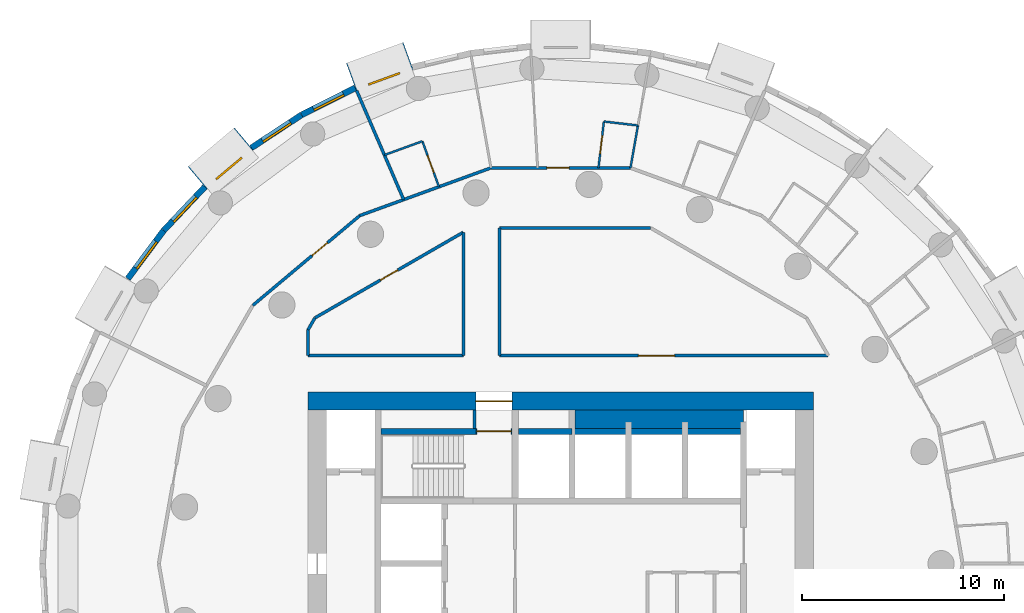
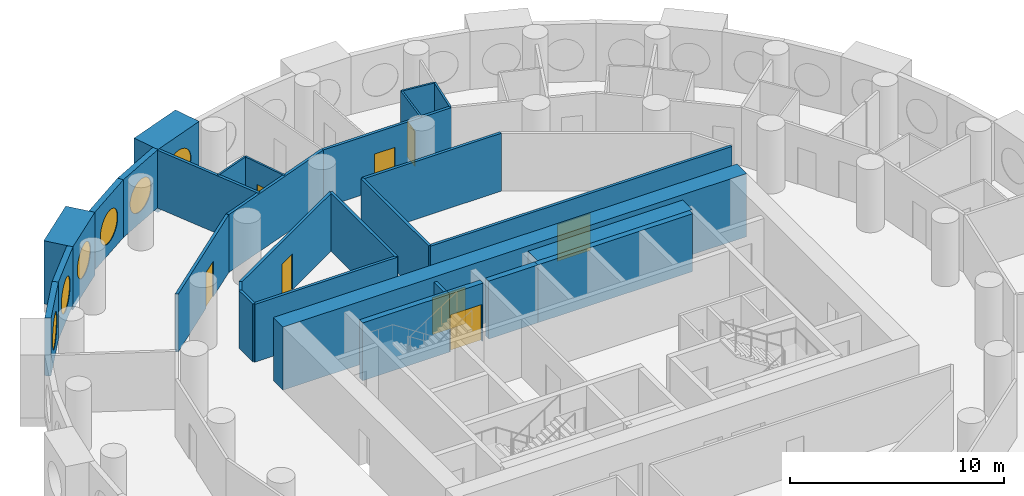
# One storey, part 6 of 10: 30 walls, 8 doors, 6 windows, 14 openings.
"""IFC4 building model written with IfcOpenShell, lengths in metres."""

import ifcopenshell
import ifcopenshell.guid

model = None  # the IFC model being written
_history = None  # IfcOwnerHistory: only IFC2X3 demands one
_inside = {}  # id of a spatial element -> (the spatial element, [elements in it])
_under = {}  # id of a project, library or spatial element -> (it, [spatial elements below it])
_declared = {}  # id of a project -> (the project, [libraries it declares])
_typed = {}  # id of a type object -> (the type object, [elements of that type])
_made_of = {}  # id of a material, layer set ... -> (it, [elements and type objects made of it])


def new_model(schema):
    """Start an empty IFC model of exactly this schema.

    Asked for "IFC4X3", IfcOpenShell would pick the latest addendum, in which some entities
    have other attributes; the version numbers below select the first issue.
    IFC2X3 requires an IfcOwnerHistory on every rooted entity: one is made here for all.
    """
    global model, _history
    if schema == "IFC4X3":
        model = ifcopenshell.file(schema_version=(4, 3, 0, 0))
    else:
        model = ifcopenshell.file(schema=schema)
    _inside.clear()
    _under.clear()
    _declared.clear()
    _typed.clear()
    _made_of.clear()
    _history = None
    if model.schema == "IFC2X3":
        org = make("IfcOrganization", Name="unknown")
        user = make(
            "IfcPersonAndOrganization",
            ThePerson=make("IfcPerson", FamilyName="unknown"),
            TheOrganization=org,
        )
        app = make(
            "IfcApplication",
            ApplicationDeveloper=org,
            Version="unknown",
            ApplicationFullName="unknown",
            ApplicationIdentifier="unknown",
        )
        _history = make(
            "IfcOwnerHistory",
            OwningUser=user,
            OwningApplication=app,
            ChangeAction="ADDED",
            CreationDate=0,
        )
    return model


def make(cls, **values):
    """One entity of the class cls with the attributes given. An attribute that is None is left unset."""
    return model.create_entity(
        cls, **{name: value for name, value in values.items() if value is not None}
    )


def rooted(cls, **values):
    """An entity with a GlobalId (a new one), such as an element, a storey or a relation."""
    return make(cls, GlobalId=ifcopenshell.guid.new(), OwnerHistory=_history, **values)


def si_unit(unit_type, name, prefix=None):
    """IfcSIUnit, for example si_unit("LENGTHUNIT", "METRE", prefix="MILLI")."""
    return make("IfcSIUnit", UnitType=unit_type, Prefix=prefix, Name=name)


def assignment(units):
    """IfcUnitAssignment: the units of a project."""
    return None if units is None else make("IfcUnitAssignment", Units=units)


def point(xyz):
    """IfcCartesianPoint."""
    return None if xyz is None else make("IfcCartesianPoint", Coordinates=xyz)


def direction(xyz):
    """IfcDirection."""
    return None if xyz is None else make("IfcDirection", DirectionRatios=xyz)


def frame(location, z_axis=None, x_axis=None):
    """IfcAxis2Placement3D, a coordinate frame: its origin and axes. An axis left out is left unset."""
    return make(
        "IfcAxis2Placement3D",
        Location=point(location),
        Axis=direction(z_axis),
        RefDirection=direction(x_axis),
    )


def frame_2d(location, x_axis=None):
    """IfcAxis2Placement2D, a coordinate frame in the plane: its origin and x axis."""
    return make(
        "IfcAxis2Placement2D", Location=point(location), RefDirection=direction(x_axis)
    )


def origin():
    """The frame at (0, 0, 0) with its axes left unset."""
    return frame((0.0, 0.0, 0.0))


def origin_2d():
    """The frame at (0, 0) in the plane with its x axis left unset."""
    return frame_2d((0.0, 0.0))


def place(relative_to, where):
    """IfcLocalPlacement: puts the frame where relative to a parent placement (None: the world)."""
    return make(
        "IfcLocalPlacement", PlacementRelTo=relative_to, RelativePlacement=where
    )


def context(
    kind, dimensions, precision=None, world=None, true_north=None, identifier=None
):
    """IfcGeometricRepresentationContext, for example the 3D "Model" context."""
    return make(
        "IfcGeometricRepresentationContext",
        ContextIdentifier=identifier,
        ContextType=kind,
        CoordinateSpaceDimension=dimensions,
        Precision=precision,
        WorldCoordinateSystem=world,
        TrueNorth=true_north,
    )


def subcontext(parent, identifier, kind, view, scale=None):
    """IfcGeometricRepresentationSubContext, for example "Body" below "Model"."""
    return make(
        "IfcGeometricRepresentationSubContext",
        ContextIdentifier=identifier,
        ContextType=kind,
        ParentContext=parent,
        TargetScale=scale,
        TargetView=view,
    )


def project(units=None, contexts=None):
    """IfcProject with its units and contexts."""
    return rooted(
        "IfcProject",
        Name="project",
        RepresentationContexts=contexts,
        UnitsInContext=assignment(units),
    )


def spatial(cls, under=None, at=None, **own):
    """A site, building, storey or space (cls), placed at a placement, below another one or the project."""
    s = rooted(cls, ObjectPlacement=at, **own)
    if under is not None:
        _under.setdefault(under.id(), (under, []))[1].append(s)
    return s


def profile(cls, at=None, kind="AREA", **sizes):
    """A parametric profile (cls). Its sizes go by their IFC names, for example OverallWidth=200.0."""
    return make(cls, ProfileType=kind, Position=at, **sizes)


def rectangle(**sizes):
    """IfcRectangleProfileDef."""
    return profile("IfcRectangleProfileDef", **sizes)


def circle(**sizes):
    """IfcCircleProfileDef."""
    return profile("IfcCircleProfileDef", **sizes)


def extrude(swept, where, along, depth):
    """IfcExtrudedAreaSolid: the profile swept, set in the frame where, extruded along a direction by depth."""
    return make(
        "IfcExtrudedAreaSolid",
        SweptArea=swept,
        Position=where,
        ExtrudedDirection=direction(along),
        Depth=depth,
    )


def shape(context_of_items, identifier, shape_type, items):
    """IfcShapeRepresentation: the items that make up one representation, for example the "Body"."""
    return make(
        "IfcShapeRepresentation",
        ContextOfItems=context_of_items,
        RepresentationIdentifier=identifier,
        RepresentationType=shape_type,
        Items=items,
    )


def material(Name=None, Category=None):
    """IfcMaterial."""
    return make("IfcMaterial", Name=Name, Category=Category)


def layer(
    of_material, thickness, ventilated=None, Name=None, Category=None, Priority=None
):
    """IfcMaterialLayer: one layer of a wall or slab, of a material (None: an air gap)."""
    return make(
        "IfcMaterialLayer",
        Material=of_material,
        LayerThickness=thickness,
        IsVentilated=ventilated,
        Name=Name,
        Category=Category,
        Priority=Priority,
    )


def layer_set(layers, Name=None):
    """IfcMaterialLayerSet."""
    return make("IfcMaterialLayerSet", MaterialLayers=layers, LayerSetName=Name)


def made_of(thing, what):
    """Note that an element or type object is made of a material, layer set ...; save() writes the relation."""
    if what is not None:
        _made_of.setdefault(what.id(), (what, []))[1].append(thing)
    return thing


def type_object(cls, material=None, **own):
    """A type object (cls), such as IfcWallType, which elements share."""
    return made_of(rooted(cls, **own), material)


def element(
    cls,
    number,
    at=None,
    inside=None,
    cuts=None,
    type_object=None,
    material=None,
    context=None,
    identifier="Body",
    shape_type=None,
    held_by="IfcProductDefinitionShape",
    body=None,
    shapes=None,
    **own,
):
    """One element of the class cls, such as IfcWall. Its Tag is "e" and its number.

    at: its placement. inside: the storey or other place that contains it. cuts: it is an
    opening in that element (IfcRelVoidsElement). A single representation is given by context,
    identifier, shape_type and body (its items); several are given by shapes. held_by: the class
    of the entity that holds the representations. save() writes the other relations.
    """
    e = rooted(cls, Tag="e%d" % number, ObjectPlacement=at, **own)
    if body is not None:
        shapes = [shape(context, identifier, shape_type, body)]
    if shapes is not None:
        e.Representation = make(held_by, Representations=shapes)
    if inside is not None:
        _inside.setdefault(inside.id(), (inside, []))[1].append(e)
    if cuts is not None:
        rooted(
            "IfcRelVoidsElement", RelatingBuildingElement=cuts, RelatedOpeningElement=e
        )
    if type_object is not None:
        _typed.setdefault(type_object.id(), (type_object, []))[1].append(e)
    return made_of(e, material)


def fill(opening, filler):
    """IfcRelFillsElement: the door or window that sits in an opening."""
    return rooted(
        "IfcRelFillsElement",
        RelatingOpeningElement=opening,
        RelatedBuildingElement=filler,
    )


def aggregate(whole, parts):
    """IfcRelAggregates: a whole, such as a stair, and the parts it consists of."""
    return rooted("IfcRelAggregates", RelatingObject=whole, RelatedObjects=parts)


def save(model, path):
    """Write the relations noted so far, then the file.

    IfcRelAggregates (storeys below a building ...), IfcRelContainedInSpatialStructure (elements
    in a storey), IfcRelDefinesByType, IfcRelAssociatesMaterial and IfcRelDeclares: one each for
    every whole, place, type object, material and project.
    """
    for whole, parts in _under.values():
        aggregate(whole, parts)
    for where, things in _inside.values():
        rooted(
            "IfcRelContainedInSpatialStructure",
            RelatedElements=things,
            RelatingStructure=where,
        )
    for kind, things in _typed.values():
        rooted("IfcRelDefinesByType", RelatedObjects=things, RelatingType=kind)
    for what, things in _made_of.values():
        rooted("IfcRelAssociatesMaterial", RelatedObjects=things, RelatingMaterial=what)
    for by, libraries in _declared.values():
        rooted("IfcRelDeclares", RelatingContext=by, RelatedDefinitions=libraries)
    model.write(path)


model = new_model("IFC4")

# Units and contexts
model_context = context("Model", 3, precision=1e-05, world=origin(), true_north=direction((0.0, 1.0)))
body_context = subcontext(model_context, "Body", "Model", "MODEL_VIEW")
ifc_project = project(units=[si_unit("LENGTHUNIT", "METRE"), si_unit("AREAUNIT", "SQUARE_METRE"), si_unit("VOLUMEUNIT", "CUBIC_METRE"), si_unit("PLANEANGLEUNIT", "RADIAN"), si_unit("MASSUNIT", "GRAM", prefix="KILO")], contexts=[model_context])

# Site, building, storey
site_placement = place(None, origin())
site = spatial("IfcSite", under=ifc_project, at=site_placement, CompositionType="ELEMENT")
building_placement = place(site_placement, origin())
building = spatial("IfcBuilding", under=site, at=building_placement, Name="Tracery Tower", CompositionType="ELEMENT")
storey_placement = place(building_placement, frame((0.0, 0.0, 158.39990234375)))
storey = spatial("IfcBuildingStorey", under=building, at=storey_placement, Name="L40", CompositionType="ELEMENT", Elevation=158.39990234375)

# Walls
ifc_material_1 = material(Name="Plasterboard on steel studs", Category="steel")
ifc_layer_1 = layer(ifc_material_1, 0.14990234375)
ifc_layer_set_1 = layer_set([ifc_layer_1], Name="Core room partition 150")
wall_type_1 = type_object("IfcWallType", Name="Core room partition 150", PredefinedType="SOLIDWALL", material=ifc_layer_set_1)
wall_1_placement = place(storey_placement, frame((-4.27490234375, 6.699951171875, 0.0), z_axis=(0.0, 0.0, 1.0), x_axis=(0.0, 1.0, 0.0)))
element("IfcWall", 1, at=wall_1_placement, inside=storey, type_object=wall_type_1, Name="L40 F N room", PredefinedType="SOLIDWALL", context=body_context, shape_type="SweptSolid", body=[
    extrude(rectangle(XDim=0.900146484375, YDim=0.14990234375, at=frame_2d((0.4501953125, 0.0))), origin(), (0.0, 0.0, 1.0), 3.300048828125),
])
ifc_material_2 = material(Name="Concrete C50/60", Category="concrete")
ifc_layer_2 = layer(ifc_material_2, 0.89990234375)
ifc_layer_set_2 = layer_set([ifc_layer_2], Name="Core strip wall 900 C50")
wall_type_2 = type_object("IfcWallType", Name="Core strip wall 900 C50", PredefinedType="SOLIDWALL", material=ifc_layer_set_2)
wall_2_placement = place(storey_placement, frame((0.699951171875, 7.14990234375, 0.0), z_axis=(0.0, 0.0, 1.0), x_axis=(1.0, 0.0, 0.0)))
element("IfcWall", 2, at=wall_2_placement, inside=storey, type_object=wall_type_2, Name="L40 F thick N E", PredefinedType="SOLIDWALL", context=body_context, shape_type="SweptSolid", body=[
    extrude(rectangle(XDim=8.35009765625, YDim=0.89990234375, at=frame_2d((4.175048828125, 0.0))), origin(), (0.0, 0.0, 1.0), 3.300048828125),
])

# Wall, opening, door
ifc_material_3 = material(Name="Concrete C50/60", Category="concrete")
ifc_layer_3 = layer(ifc_material_3, 0.89990234375)
ifc_layer_set_3 = layer_set([ifc_layer_3], Name="Core wall 900 C50")
wall_type_3 = type_object("IfcWallType", Name="Core wall 900 C50", PredefinedType="SOLIDWALL", material=ifc_layer_set_3)
wall_3_placement = place(storey_placement, frame((-12.5, 8.050048828125, 0.0), z_axis=(0.0, 0.0, 1.0), x_axis=(1.0, 0.0, 0.0)))
wall_3 = element("IfcWall", 3, at=wall_3_placement, inside=storey, type_object=wall_type_3, Name="L40 outer N", PredefinedType="SOLIDWALL", context=body_context, shape_type="SweptSolid", body=[
    extrude(rectangle(XDim=25.0, YDim=0.89990234375, at=frame_2d((12.5, 0.0))), origin(), (0.0, 0.0, 1.0), 3.60009765625),
])
opening_1_placement = place(wall_3_placement, frame((8.300048828125, 0.0, 0.0)))
opening_1 = element("IfcOpeningElement", 4, at=opening_1_placement, cuts=wall_3, Name="Opening KD13", PredefinedType="OPENING", context=body_context, shape_type="SweptSolid", body=[
    extrude(rectangle(XDim=1.800048828125, YDim=2.10009765625, at=frame_2d((0.89990234375, 1.050048828125))), frame((0.0, 0.449951171875, 0.0), z_axis=(0.0, -1.0, 0.0), x_axis=(1.0, 0.0, 0.0)), (0.0, 0.0, 1.0), 0.89990234375),
])
ifc_material_4 = material(Name="Steel fire door", Category="steel")
door_type_1 = type_object("IfcDoorType", Name="Core exit door 1800 double", OperationType="NOTDEFINED", PredefinedType="DOOR", material=ifc_material_4)
door_1_placement = place(opening_1_placement, origin())
door_1 = element("IfcDoor", 5, at=door_1_placement, inside=storey, type_object=door_type_1, Name="Core exit door", OperationType="DOUBLE_DOOR_SINGLE_SWING", OverallHeight=2.10009765625, OverallWidth=1.800048828125, PredefinedType="DOOR", context=body_context, shape_type="SweptSolid", body=[
    extrude(rectangle(XDim=1.800048828125, YDim=2.10009765625, at=frame_2d((0.89990234375, 1.050048828125))), frame((0.0, 0.02490234375, 0.0), z_axis=(0.0, -1.0, 0.0), x_axis=(1.0, 0.0, 0.0)), (0.0, 0.0, 1.0), 0.050048828125),
])
fill(opening_1, door_1)

# Wall, opening, window
ifc_material_5 = material(Name="Precast concrete C50/60", Category="concrete")
ifc_layer_4 = layer(ifc_material_5, 1.449951171875)
ifc_layer_set_4 = layer_set([ifc_layer_4], Name="Deep-set bay unit 3000 x 3600, slab edge 300")
wall_type_4 = type_object("IfcWallType", Name="Deep-set bay unit 3000 x 3600, slab edge 300", PredefinedType="ELEMENTEDWALL", material=ifc_layer_set_4)
wall_4_placement = place(storey_placement, frame((-7.544189453125, 25.11328125, -0.2998046875), z_axis=(0.0, 0.0, 1.0), x_axis=(-0.939686455819, -0.342037080957, 0.0)))
wall_4 = element("IfcWall", 6, at=wall_4_placement, inside=storey, type_object=wall_type_4, Name="Deep-set bay unit 17 at L40", PredefinedType="ELEMENTEDWALL", context=body_context, shape_type="SweptSolid", body=[
    extrude(rectangle(XDim=3.0, YDim=1.449951171875, at=frame_2d((1.5, 0.0))), origin(), (0.0, 0.0, 1.0), 3.599853515625),
])
opening_2_placement = place(wall_4_placement, frame((1.5, 0.0, 1.85009765625)))
opening_2 = element("IfcOpeningElement", 7, at=opening_2_placement, cuts=wall_4, Name="Opening WN1", PredefinedType="OPENING", context=body_context, shape_type="SweptSolid", body=[
    extrude(circle(Radius=0.9000244140625, at=origin_2d()), frame((0.0, 0.73486328125, 0.0), z_axis=(0.0, -1.0, 0.0), x_axis=(1.0, 0.0, 0.0)), (0.0, 0.0, 1.0), 1.469970703125),
])
ifc_material_6 = material(Name="Aluminium frame with tinted double glazing", Category="aluminium")
window_type = type_object("IfcWindowType", Name="Round window 1800", PartitioningType="SINGLE_PANEL", PredefinedType="WINDOW", material=ifc_material_6)
window_1_placement = place(opening_2_placement, origin())
window_1 = element("IfcWindow", 8, at=window_1_placement, inside=storey, type_object=window_type, Name="Round window 17 at L40", OverallHeight=1.800048828125, OverallWidth=1.800048828125, PartitioningType="SINGLE_PANEL", PredefinedType="WINDOW", context=body_context, shape_type="SweptSolid", body=[
    extrude(circle(Radius=0.9000244140625, at=origin_2d()), frame((0.0, 0.69482421875, 0.0), z_axis=(0.0, -1.0, 0.0), x_axis=(1.0, 0.0, 0.0)), (0.0, 0.0, 1.0), 0.10009765625),
])
fill(opening_2, window_1)

wall_5_placement = place(storey_placement, frame((-15.678466796875, 21.0185546875, -0.2998046875), z_axis=(0.0, 0.0, 1.0), x_axis=(-0.766022196139, -0.642814121673, 0.0)))
wall_5 = element("IfcWall", 9, at=wall_5_placement, inside=storey, type_object=wall_type_4, Name="Deep-set bay unit 20 at L40", PredefinedType="ELEMENTEDWALL", context=body_context, shape_type="SweptSolid", body=[
    extrude(rectangle(XDim=3.0, YDim=1.449951171875, at=frame_2d((1.5, 0.0))), origin(), (0.0, 0.0, 1.0), 3.599853515625),
])
opening_3_placement = place(wall_5_placement, frame((1.5, 0.0, 1.85009765625)))
opening_3 = element("IfcOpeningElement", 10, at=opening_3_placement, cuts=wall_5, Name="Opening WN1", PredefinedType="OPENING", context=body_context, shape_type="SweptSolid", body=[
    extrude(circle(Radius=0.9000244140625, at=origin_2d()), frame((0.0, 0.73486328125, 0.0), z_axis=(0.0, -1.0, 0.0), x_axis=(1.0, 0.0, 0.0)), (0.0, 0.0, 1.0), 1.469970703125),
])
window_2_placement = place(opening_3_placement, origin())
window_2 = element("IfcWindow", 11, at=window_2_placement, inside=storey, type_object=window_type, Name="Round window 20 at L40", OverallHeight=1.800048828125, OverallWidth=1.800048828125, PartitioningType="SINGLE_PANEL", PredefinedType="WINDOW", context=body_context, shape_type="SweptSolid", body=[
    extrude(circle(Radius=0.9000244140625, at=origin_2d()), frame((0.0, 0.69482421875, 0.0), z_axis=(0.0, -1.0, 0.0), x_axis=(1.0, 0.0, 0.0)), (0.0, 0.0, 1.0), 0.10009765625),
])
fill(opening_3, window_2)

ifc_material_7 = material(Name="Precast concrete C50/60", Category="concrete")
ifc_layer_5 = layer(ifc_material_7, 0.300048828125)
ifc_layer_set_5 = layer_set([ifc_layer_5], Name="Facade panel 3000 x 3300")
wall_type_5 = type_object("IfcWallType", Name="Facade panel 3000 x 3300", PredefinedType="SOLIDWALL", material=ifc_layer_set_5)
wall_6_placement = place(storey_placement, frame((-10.1669921875, 23.545654296875, 0.0), z_axis=(0.0, 0.0, 1.0), x_axis=(-0.893637442555, -0.448789618045, 0.0)))
wall_6 = element("IfcWall", 12, at=wall_6_placement, inside=storey, type_object=wall_type_5, Name="Facade panel 18 at L40", PredefinedType="SOLIDWALL", context=body_context, shape_type="SweptSolid", body=[
    extrude(rectangle(XDim=2.972900390625, YDim=0.300048828125, at=frame_2d((1.486328125, 0.0))), origin(), (0.0, 0.0, 1.0), 3.300048828125),
])
opening_4_placement = place(wall_6_placement, frame((1.486328125, 0.0, 1.5498046875)))
opening_4 = element("IfcOpeningElement", 13, at=opening_4_placement, cuts=wall_6, Name="Opening WN1", PredefinedType="OPENING", context=body_context, shape_type="SweptSolid", body=[
    extrude(circle(Radius=0.9000244140625, at=origin_2d()), frame((0.0, 0.159912109375, 0.0), z_axis=(0.0, -1.0, 0.0), x_axis=(1.0, 0.0, 0.0)), (0.0, 0.0, 1.0), 0.320068359375),
])
window_3_placement = place(opening_4_placement, origin())
window_3 = element("IfcWindow", 14, at=window_3_placement, inside=storey, type_object=window_type, Name="Round window 18 at L40", OverallHeight=1.800048828125, OverallWidth=1.800048828125, PartitioningType="SINGLE_PANEL", PredefinedType="WINDOW", context=body_context, shape_type="SweptSolid", body=[
    extrude(circle(Radius=0.9000244140625, at=origin_2d()), frame((0.0, 0.1201171875, 0.0), z_axis=(0.0, -1.0, 0.0), x_axis=(1.0, 0.0, 0.0)), (0.0, 0.0, 1.0), 0.10009765625),
])
fill(opening_4, window_3)

wall_7_placement = place(storey_placement, frame((-12.82373046875, 22.21142578125, 0.0), z_axis=(0.0, 0.0, 1.0), x_axis=(-0.835470659512, -0.549535055382, 0.0)))
wall_7 = element("IfcWall", 15, at=wall_7_placement, inside=storey, type_object=wall_type_5, Name="Facade panel 19 at L40", PredefinedType="SOLIDWALL", context=body_context, shape_type="SweptSolid", body=[
    extrude(rectangle(XDim=2.97314453125, YDim=0.300048828125, at=frame_2d((1.486572265625, 0.0))), origin(), (0.0, 0.0, 1.0), 3.300048828125),
])
opening_5_placement = place(wall_7_placement, frame((1.486328125, 0.0, 1.5498046875)))
opening_5 = element("IfcOpeningElement", 16, at=opening_5_placement, cuts=wall_7, Name="Opening WN1", PredefinedType="OPENING", context=body_context, shape_type="SweptSolid", body=[
    extrude(circle(Radius=0.9000244140625, at=origin_2d()), frame((0.0, 0.159912109375, 0.0), z_axis=(0.0, -1.0, 0.0), x_axis=(1.0, 0.0, 0.0)), (0.0, 0.0, 1.0), 0.320068359375),
])
window_4_placement = place(opening_5_placement, origin())
window_4 = element("IfcWindow", 17, at=window_4_placement, inside=storey, type_object=window_type, Name="Round window 19 at L40", OverallHeight=1.800048828125, OverallWidth=1.800048828125, PartitioningType="SINGLE_PANEL", PredefinedType="WINDOW", context=body_context, shape_type="SweptSolid", body=[
    extrude(circle(Radius=0.9000244140625, at=origin_2d()), frame((0.0, 0.1201171875, 0.0), z_axis=(0.0, -1.0, 0.0), x_axis=(1.0, 0.0, 0.0)), (0.0, 0.0, 1.0), 0.10009765625),
])
fill(opening_5, window_4)

wall_8_placement = place(storey_placement, frame((-17.60693359375, 18.648193359375, 0.0), z_axis=(0.0, 0.0, 1.0), x_axis=(-0.686235184166, -0.727379730273, 0.0)))
wall_8 = element("IfcWall", 18, at=wall_8_placement, inside=storey, type_object=wall_type_5, Name="Facade panel 21 at L40", PredefinedType="SOLIDWALL", context=body_context, shape_type="SweptSolid", body=[
    extrude(rectangle(XDim=2.972900390625, YDim=0.300048828125, at=frame_2d((1.486328125, 0.0))), origin(), (0.0, 0.0, 1.0), 3.300048828125),
])
opening_6_placement = place(wall_8_placement, frame((1.486328125, 0.0, 1.5498046875)))
opening_6 = element("IfcOpeningElement", 19, at=opening_6_placement, cuts=wall_8, Name="Opening WN1", PredefinedType="OPENING", context=body_context, shape_type="SweptSolid", body=[
    extrude(circle(Radius=0.9000244140625, at=origin_2d()), frame((0.0, 0.159912109375, 0.0), z_axis=(0.0, -1.0, 0.0), x_axis=(1.0, 0.0, 0.0)), (0.0, 0.0, 1.0), 0.320068359375),
])
window_5_placement = place(opening_6_placement, origin())
window_5 = element("IfcWindow", 20, at=window_5_placement, inside=storey, type_object=window_type, Name="Round window 21 at L40", OverallHeight=1.800048828125, OverallWidth=1.800048828125, PartitioningType="SINGLE_PANEL", PredefinedType="WINDOW", context=body_context, shape_type="SweptSolid", body=[
    extrude(circle(Radius=0.9000244140625, at=origin_2d()), frame((0.0, 0.1201171875, 0.0), z_axis=(0.0, -1.0, 0.0), x_axis=(1.0, 0.0, 0.0)), (0.0, 0.0, 1.0), 0.10009765625),
])
fill(opening_6, window_5)

wall_9_placement = place(storey_placement, frame((-19.64697265625, 16.48583984375, 0.0), z_axis=(0.0, 0.0, 1.0), x_axis=(-0.597197580538, -0.80209416517, 0.0)))
wall_9 = element("IfcWall", 21, at=wall_9_placement, inside=storey, type_object=wall_type_5, Name="Facade panel 22 at L40", PredefinedType="SOLIDWALL", context=body_context, shape_type="SweptSolid", body=[
    extrude(rectangle(XDim=2.972900390625, YDim=0.300048828125, at=frame_2d((1.486328125, 0.0))), origin(), (0.0, 0.0, 1.0), 3.300048828125),
])
opening_7_placement = place(wall_9_placement, frame((1.486328125, 0.0, 1.5498046875)))
opening_7 = element("IfcOpeningElement", 22, at=opening_7_placement, cuts=wall_9, Name="Opening WN1", PredefinedType="OPENING", context=body_context, shape_type="SweptSolid", body=[
    extrude(circle(Radius=0.9000244140625, at=origin_2d()), frame((0.0, 0.159912109375, 0.0), z_axis=(0.0, -1.0, 0.0), x_axis=(1.0, 0.0, 0.0)), (0.0, 0.0, 1.0), 0.320068359375),
])
window_6_placement = place(opening_7_placement, origin())
window_6 = element("IfcWindow", 23, at=window_6_placement, inside=storey, type_object=window_type, Name="Round window 22 at L40", OverallHeight=1.800048828125, OverallWidth=1.800048828125, PartitioningType="SINGLE_PANEL", PredefinedType="WINDOW", context=body_context, shape_type="SweptSolid", body=[
    extrude(circle(Radius=0.9000244140625, at=origin_2d()), frame((0.0, 0.1201171875, 0.0), z_axis=(0.0, -1.0, 0.0), x_axis=(1.0, 0.0, 0.0)), (0.0, 0.0, 1.0), 0.10009765625),
])
fill(opening_7, window_6)

# Wall
ifc_material_8 = material(Name="Plasterboard on steel studs", Category="steel")
ifc_layer_6 = layer(ifc_material_8, 0.10009765625)
ifc_layer_set_6 = layer_set([ifc_layer_6], Name="Partition 100 wet wall")
wall_type_6 = type_object("IfcWallType", Name="Partition 100 wet wall", PredefinedType="PARTITIONING", material=ifc_layer_set_6)
wall_10_placement = place(storey_placement, frame((2.136962890625, 21.881103515625, 0.0), z_axis=(0.0, 0.0, 1.0), x_axis=(0.993241601719, -0.11606515676, 0.0)))
element("IfcWall", 24, at=wall_10_placement, inside=storey, type_object=wall_type_6, Name="Wet wall RB4-059", PredefinedType="PARTITIONING", context=body_context, shape_type="SweptSolid", body=[
    extrude(rectangle(XDim=1.697509765625, YDim=0.10009765625, at=frame_2d((0.8486328125, 0.0))), origin(), (0.0, 0.0, 1.0), 3.300048828125),
])

# Wall, opening, door
wall_11_placement = place(storey_placement, frame((1.868896484375, 19.5859375, 0.0), z_axis=(0.0, 0.0, 1.0), x_axis=(0.116007517533, 0.993248335451, 0.0)))
wall_11 = element("IfcWall", 25, at=wall_11_placement, inside=storey, type_object=wall_type_6, Name="Wet wall RB4-060", PredefinedType="PARTITIONING", context=body_context, shape_type="SweptSolid", body=[
    extrude(rectangle(XDim=2.310791015625, YDim=0.10009765625, at=frame_2d((1.1552734375, 0.0))), origin(), (0.0, 0.0, 1.0), 3.300048828125),
])
opening_8_placement = place(wall_11_placement, frame((0.70556640625, 0.0, 0.0)))
opening_8 = element("IfcOpeningElement", 26, at=opening_8_placement, cuts=wall_11, Name="Opening RB4-17", PredefinedType="OPENING", context=body_context, shape_type="SweptSolid", body=[
    extrude(rectangle(XDim=0.89990234375, YDim=2.0, at=frame_2d((0.449951171875, 1.0))), frame((0.0, 0.050048828125, 0.0), z_axis=(0.0, -1.0, 0.0), x_axis=(1.0, 0.0, 0.0)), (0.0, 0.0, 1.0), 0.10009765625),
])
ifc_material_9 = material(Name="Timber door leaf", Category="wood")
door_type_2 = type_object("IfcDoorType", Name="Door shower room 900", OperationType="NOTDEFINED", PredefinedType="DOOR", material=ifc_material_9)
door_2_placement = place(opening_8_placement, origin())
door_2 = element("IfcDoor", 27, at=door_2_placement, inside=storey, type_object=door_type_2, Name="Shower room door RB4-17", OperationType="SINGLE_SWING_LEFT", OverallHeight=2.0, OverallWidth=0.89990234375, PredefinedType="DOOR", context=body_context, shape_type="SweptSolid", body=[
    extrude(rectangle(XDim=0.89990234375, YDim=2.0, at=frame_2d((0.449951171875, 1.0))), frame((0.0, 0.02490234375, 0.0), z_axis=(0.0, -1.0, 0.0), x_axis=(1.0, 0.0, 0.0)), (0.0, 0.0, 1.0), 0.050048828125),
])
fill(opening_8, door_2)

# Wall
wall_12_placement = place(storey_placement, frame((3.452880859375, 19.5859375, 0.0), z_axis=(0.0, 0.0, 1.0), x_axis=(0.173719962819, 0.984795092655, 0.0)))
element("IfcWall", 28, at=wall_12_placement, inside=storey, type_object=wall_type_6, Name="Wet wall RB4-063", PredefinedType="PARTITIONING", context=body_context, shape_type="SweptSolid", body=[
    extrude(rectangle(XDim=2.130615234375, YDim=0.10009765625, at=frame_2d((1.0654296875, 0.0))), origin(), (0.0, 0.0, 1.0), 3.300048828125),
])

# Wall, opening, door
wall_13_placement = place(storey_placement, frame((-6.844970703125, 20.905029296875, 0.0), z_axis=(0.0, 0.0, 1.0), x_axis=(0.342110593602, -0.939659694648, 0.0)))
wall_13 = element("IfcWall", 29, at=wall_13_placement, inside=storey, type_object=wall_type_6, Name="Wet wall RB4-066", PredefinedType="PARTITIONING", context=body_context, shape_type="SweptSolid", body=[
    extrude(rectangle(XDim=2.39990234375, YDim=0.10009765625, at=frame_2d((1.199951171875, 0.0))), origin(), (0.0, 0.0, 1.0), 3.300048828125),
])
opening_9_placement = place(wall_13_placement, frame((0.749755859375, 0.0, 0.0)))
opening_9 = element("IfcOpeningElement", 30, at=opening_9_placement, cuts=wall_13, Name="Opening RB4-21", PredefinedType="OPENING", context=body_context, shape_type="SweptSolid", body=[
    extrude(rectangle(XDim=0.89990234375, YDim=2.0400390625, at=frame_2d((0.449951171875, 1.02001953125))), frame((0.0, 0.050048828125, 0.0), z_axis=(0.0, -1.0, 0.0), x_axis=(1.0, 0.0, 0.0)), (0.0, 0.0, 1.0), 0.10009765625),
])
ifc_material_10 = material(Name="Timber door leaf", Category="wood")
door_type_3 = type_object("IfcDoorType", Name="Door en-suite 900", OperationType="NOTDEFINED", PredefinedType="DOOR", material=ifc_material_10)
door_3_placement = place(opening_9_placement, origin())
door_3 = element("IfcDoor", 31, at=door_3_placement, inside=storey, type_object=door_type_3, Name="En-suite door RB4-21", OperationType="SINGLE_SWING_RIGHT", OverallHeight=2.0400390625, OverallWidth=0.89990234375, PredefinedType="DOOR", context=body_context, shape_type="SweptSolid", body=[
    extrude(rectangle(XDim=0.89990234375, YDim=2.0400390625, at=frame_2d((0.449951171875, 1.02001953125))), frame((0.0, 0.02490234375, 0.0), z_axis=(0.0, -1.0, 0.0), x_axis=(1.0, 0.0, 0.0)), (0.0, 0.0, 1.0), 0.050048828125),
])
fill(opening_9, door_3)

# Walls
wall_14_placement = place(storey_placement, frame((-8.722900390625, 20.221923828125, 0.0), z_axis=(0.0, 0.0, 1.0), x_axis=(0.939757747305, 0.341841156651, 0.0)))
element("IfcWall", 32, at=wall_14_placement, inside=storey, type_object=wall_type_6, Name="Wet wall RB4-067", PredefinedType="PARTITIONING", context=body_context, shape_type="SweptSolid", body=[
    extrude(rectangle(XDim=1.998291015625, YDim=0.10009765625, at=frame_2d((0.9990234375, 0.0))), origin(), (0.0, 0.0, 1.0), 3.300048828125),
])
ifc_material_11 = material(Name="Plasterboard on steel studs", Category="steel")
ifc_layer_7 = layer(ifc_material_11, 0.14990234375)
ifc_layer_set_7 = layer_set([ifc_layer_7], Name="Partition 150 acoustic unit wall")
wall_type_7 = type_object("IfcWallType", Name="Partition 150 acoustic unit wall", PredefinedType="PARTITIONING", material=ifc_layer_set_7)
wall_15_placement = place(storey_placement, frame((-10.09912109375, 23.412109375, 0.0), z_axis=(0.0, 0.0, 1.0), x_axis=(0.396103469133, -0.918205882001, 0.0)))
element("IfcWall", 33, at=wall_15_placement, inside=storey, type_object=wall_type_7, Name="Unit wall RB4-068", PredefinedType="PARTITIONING", context=body_context, shape_type="SweptSolid", body=[
    extrude(rectangle(XDim=5.87890625, YDim=0.14990234375, at=frame_2d((2.939453125, 0.0))), origin(), (0.0, 0.0, 1.0), 3.300048828125),
])
ifc_material_12 = material(Name="Plasterboard on steel studs", Category="steel")
ifc_layer_8 = layer(ifc_material_12, 0.14990234375)
ifc_layer_set_8 = layer_set([ifc_layer_8], Name="Partition 150 corridor wall")
wall_type_8 = type_object("IfcWallType", Name="Partition 150 corridor wall", PredefinedType="PARTITIONING", material=ifc_layer_set_8)
wall_16_placement = place(storey_placement, frame((-12.50390625, 10.300048828125, 0.0), z_axis=(0.0, 0.0, 1.0), x_axis=(1.0, 0.0, 0.0)))
element("IfcWall", 34, at=wall_16_placement, inside=storey, type_object=wall_type_8, Name="Corridor wall RB4-001", PredefinedType="PARTITIONING", context=body_context, shape_type="SweptSolid", body=[
    extrude(rectangle(XDim=7.68701171875, YDim=0.14990234375, at=frame_2d((3.843505859375, 0.0))), origin(), (0.0, 0.0, 1.0), 3.300048828125),
])

# Wall, opening, door
wall_17_placement = place(storey_placement, frame((-3.02490234375, 10.300048828125, 0.0), z_axis=(0.0, 0.0, 1.0), x_axis=(1.0, 0.0, 0.0)))
wall_17 = element("IfcWall", 35, at=wall_17_placement, inside=storey, type_object=wall_type_8, Name="Corridor wall RB4-002", PredefinedType="PARTITIONING", context=body_context, shape_type="SweptSolid", body=[
    extrude(rectangle(XDim=16.261962890625, YDim=0.14990234375, at=frame_2d((8.130859375, 0.0))), origin(), (0.0, 0.0, 1.0), 3.300048828125),
])
opening_10_placement = place(wall_17_placement, frame((6.863037109375, 0.0, 0.0)))
opening_10 = element("IfcOpeningElement", 36, at=opening_10_placement, cuts=wall_17, Name="Opening RB4-02", PredefinedType="OPENING", context=body_context, shape_type="SweptSolid", body=[
    extrude(rectangle(XDim=1.800048828125, YDim=2.10009765625, at=frame_2d((0.89990234375, 1.050048828125))), frame((0.0, 0.074951171875, 0.0), z_axis=(0.0, -1.0, 0.0), x_axis=(1.0, 0.0, 0.0)), (0.0, 0.0, 1.0), 0.14990234375),
])
ifc_material_13 = material(Name="Timber door leaf", Category="wood")
door_type_4 = type_object("IfcDoorType", Name="Door double lounge 1800", OperationType="NOTDEFINED", PredefinedType="DOOR", material=ifc_material_13)
door_4_placement = place(opening_10_placement, origin())
door_4 = element("IfcDoor", 37, at=door_4_placement, inside=storey, type_object=door_type_4, Name="Double lounge door RB4-02", OperationType="DOUBLE_DOOR_SINGLE_SWING", OverallHeight=2.10009765625, OverallWidth=1.800048828125, PredefinedType="DOOR", context=body_context, shape_type="SweptSolid", body=[
    extrude(rectangle(XDim=1.800048828125, YDim=2.10009765625, at=frame_2d((0.89990234375, 1.050048828125))), frame((0.0, 0.02490234375, 0.0), z_axis=(0.0, -1.0, 0.0), x_axis=(1.0, 0.0, 0.0)), (0.0, 0.0, 1.0), 0.050048828125),
])
fill(opening_10, door_4)

# Wall
wall_18_placement = place(storey_placement, frame((-4.821044921875, 10.300048828125, 0.0), z_axis=(0.0, 0.0, 1.0), x_axis=(0.0, 1.0, 0.0)))
element("IfcWall", 38, at=wall_18_placement, inside=storey, type_object=wall_type_8, Name="Corridor wall RB4-013", PredefinedType="PARTITIONING", context=body_context, shape_type="SweptSolid", body=[
    extrude(rectangle(XDim=6.100830078125, YDim=0.14990234375, at=frame_2d((3.05029296875, 0.0))), origin(), (0.0, 0.0, 1.0), 3.300048828125),
])

# Wall, opening, door
wall_19_placement = place(storey_placement, frame((-12.162109375, 12.162109375, 0.0), z_axis=(0.0, 0.0, 1.0), x_axis=(0.866004766557, 0.500035743023, 0.0)))
wall_19 = element("IfcWall", 39, at=wall_19_placement, inside=storey, type_object=wall_type_8, Name="Corridor wall RB4-014", PredefinedType="PARTITIONING", context=body_context, shape_type="SweptSolid", body=[
    extrude(rectangle(XDim=8.47705078125, YDim=0.14990234375, at=frame_2d((4.238525390625, 0.0))), origin(), (0.0, 0.0, 1.0), 3.300048828125),
])
opening_11_placement = place(wall_19_placement, frame((3.739013671875, 0.0, 0.0)))
opening_11 = element("IfcOpeningElement", 40, at=opening_11_placement, cuts=wall_19, Name="Opening RB4-01", PredefinedType="OPENING", context=body_context, shape_type="SweptSolid", body=[
    extrude(rectangle(XDim=1.0, YDim=2.0400390625, at=frame_2d((0.5, 1.02001953125))), frame((0.0, 0.074951171875, 0.0), z_axis=(0.0, -1.0, 0.0), x_axis=(1.0, 0.0, 0.0)), (0.0, 0.0, 1.0), 0.14990234375),
])
ifc_material_14 = material(Name="Timber door leaf", Category="wood")
door_type_5 = type_object("IfcDoorType", Name="Door communal room 1000", OperationType="NOTDEFINED", PredefinedType="DOOR", material=ifc_material_14)
door_5_placement = place(opening_11_placement, origin())
door_5 = element("IfcDoor", 41, at=door_5_placement, inside=storey, type_object=door_type_5, Name="Communal room door RB4-01", OperationType="SINGLE_SWING_LEFT", OverallHeight=2.0400390625, OverallWidth=1.0, PredefinedType="DOOR", context=body_context, shape_type="SweptSolid", body=[
    extrude(rectangle(XDim=1.0, YDim=2.0400390625, at=frame_2d((0.5, 1.02001953125))), frame((0.0, 0.02490234375, 0.0), z_axis=(0.0, -1.0, 0.0), x_axis=(1.0, 0.0, 0.0)), (0.0, 0.0, 1.0), 0.050048828125),
])
fill(opening_11, door_5)

# Walls
wall_20_placement = place(storey_placement, frame((-3.02099609375, 16.614013671875, 0.0), z_axis=(0.0, 0.0, 1.0), x_axis=(1.0, 0.0, 0.0)))
element("IfcWall", 42, at=wall_20_placement, inside=storey, type_object=wall_type_8, Name="Corridor wall RB4-016", PredefinedType="PARTITIONING", context=body_context, shape_type="SweptSolid", body=[
    extrude(rectangle(XDim=7.472900390625, YDim=0.14990234375, at=frame_2d((3.736328125, 0.0))), origin(), (0.0, 0.0, 1.0), 3.300048828125),
])
wall_21_placement = place(storey_placement, frame((-3.02099609375, 10.300048828125, 0.0), z_axis=(0.0, 0.0, 1.0), x_axis=(0.0, 1.0, 0.0)))
element("IfcWall", 43, at=wall_21_placement, inside=storey, type_object=wall_type_8, Name="Corridor wall RB4-017", PredefinedType="PARTITIONING", context=body_context, shape_type="SweptSolid", body=[
    extrude(rectangle(XDim=6.31396484375, YDim=0.14990234375, at=frame_2d((3.156982421875, 0.0))), origin(), (0.0, 0.0, 1.0), 3.300048828125),
])

# Wall, opening, door
wall_22_placement = place(storey_placement, frame((-3.452880859375, 19.5859375, 0.0), z_axis=(0.0, 0.0, 1.0), x_axis=(1.0, 0.0, 0.0)))
wall_22 = element("IfcWall", 44, at=wall_22_placement, inside=storey, type_object=wall_type_8, Name="Corridor wall RB4-019", PredefinedType="PARTITIONING", context=body_context, shape_type="SweptSolid", body=[
    extrude(rectangle(XDim=6.90576171875, YDim=0.14990234375, at=frame_2d((3.452880859375, 0.0))), origin(), (0.0, 0.0, 1.0), 3.300048828125),
])
opening_12_placement = place(wall_22_placement, frame((2.76708984375, 0.0, 0.0)))
opening_12 = element("IfcOpeningElement", 45, at=opening_12_placement, cuts=wall_22, Name="Opening RB4-15", PredefinedType="OPENING", context=body_context, shape_type="SweptSolid", body=[
    extrude(rectangle(XDim=1.10009765625, YDim=2.10009765625, at=frame_2d((0.550048828125, 1.050048828125))), frame((0.0, 0.074951171875, 0.0), z_axis=(0.0, -1.0, 0.0), x_axis=(1.0, 0.0, 0.0)), (0.0, 0.0, 1.0), 0.14990234375),
])
ifc_material_15 = material(Name="Timber door leaf", Category="wood")
door_type_6 = type_object("IfcDoorType", Name="Door cluster entrance 1100", OperationType="NOTDEFINED", PredefinedType="DOOR", material=ifc_material_15)
door_6_placement = place(opening_12_placement, origin())
door_6 = element("IfcDoor", 46, at=door_6_placement, inside=storey, type_object=door_type_6, Name="Cluster entrance door RB4-15", OperationType="SINGLE_SWING_LEFT", OverallHeight=2.10009765625, OverallWidth=1.10009765625, PredefinedType="DOOR", context=body_context, shape_type="SweptSolid", body=[
    extrude(rectangle(XDim=1.10009765625, YDim=2.10009765625, at=frame_2d((0.550048828125, 1.050048828125))), frame((0.0, 0.02490234375, 0.0), z_axis=(0.0, -1.0, 0.0), x_axis=(1.0, 0.0, 0.0)), (0.0, 0.0, 1.0), 0.050048828125),
])
fill(opening_12, door_6)

# Wall
wall_23_placement = place(storey_placement, frame((-9.9443359375, 17.223876953125, 0.0), z_axis=(0.0, 0.0, 1.0), x_axis=(0.939722202107, 0.341938858377, 0.0)))
element("IfcWall", 47, at=wall_23_placement, inside=storey, type_object=wall_type_8, Name="Corridor wall RB4-020", PredefinedType="PARTITIONING", context=body_context, shape_type="SweptSolid", body=[
    extrude(rectangle(XDim=6.907958984375, YDim=0.14990234375, at=frame_2d((3.4541015625, 0.0))), origin(), (0.0, 0.0, 1.0), 3.300048828125),
])

# Wall, opening, door
wall_24_placement = place(storey_placement, frame((-15.23486328125, 12.78369140625, 0.0), z_axis=(0.0, 0.0, 1.0), x_axis=(0.766064078986, 0.642764207845, 0.0)))
wall_24 = element("IfcWall", 48, at=wall_24_placement, inside=storey, type_object=wall_type_8, Name="Corridor wall RB4-021", PredefinedType="PARTITIONING", context=body_context, shape_type="SweptSolid", body=[
    extrude(rectangle(XDim=6.906494140625, YDim=0.14990234375, at=frame_2d((3.453125, 0.0))), origin(), (0.0, 0.0, 1.0), 3.300048828125),
])
opening_13_placement = place(wall_24_placement, frame((3.82275390625, 0.0, 0.0)))
opening_13 = element("IfcOpeningElement", 49, at=opening_13_placement, cuts=wall_24, Name="Opening RB4-22", PredefinedType="OPENING", context=body_context, shape_type="SweptSolid", body=[
    extrude(rectangle(XDim=1.0, YDim=2.0400390625, at=frame_2d((0.5, 1.02001953125))), frame((0.0, 0.074951171875, 0.0), z_axis=(0.0, -1.0, 0.0), x_axis=(1.0, 0.0, 0.0)), (0.0, 0.0, 1.0), 0.14990234375),
])
door_7_placement = place(opening_13_placement, origin())
door_7 = element("IfcDoor", 50, at=door_7_placement, inside=storey, type_object=door_type_5, Name="Communal room door RB4-22", OperationType="SINGLE_SWING_LEFT", OverallHeight=2.0400390625, OverallWidth=1.0, PredefinedType="DOOR", context=body_context, shape_type="SweptSolid", body=[
    extrude(rectangle(XDim=1.0, YDim=2.0400390625, at=frame_2d((0.5, 1.02001953125))), frame((0.0, 0.02490234375, 0.0), z_axis=(0.0, -1.0, 0.0), x_axis=(1.0, 0.0, 0.0)), (0.0, 0.0, 1.0), 0.050048828125),
])
fill(opening_13, door_7)

# Walls
wall_25_placement = place(storey_placement, frame((-12.5, 11.576904296875, 0.0), z_axis=(0.0, 0.0, 1.0), x_axis=(0.500024767483, 0.866011103799, 0.0)))
element("IfcWall", 51, at=wall_25_placement, inside=storey, type_object=wall_type_8, Name="Corridor wall RB4-022", PredefinedType="PARTITIONING", context=body_context, shape_type="SweptSolid", body=[
    extrude(rectangle(XDim=0.67578125, YDim=0.14990234375, at=frame_2d((0.337890625, 0.0))), origin(), (0.0, 0.0, 1.0), 3.300048828125),
])
wall_26_placement = place(storey_placement, frame((-12.5, 10.300048828125, 0.0), z_axis=(0.0, 0.0, 1.0), x_axis=(0.0, 1.0, 0.0)))
element("IfcWall", 52, at=wall_26_placement, inside=storey, type_object=wall_type_8, Name="Corridor wall RB4-023", PredefinedType="PARTITIONING", context=body_context, shape_type="SweptSolid", body=[
    extrude(rectangle(XDim=1.27685546875, YDim=0.14990234375, at=frame_2d((0.638427734375, 0.0))), origin(), (0.0, 0.0, 1.0), 3.300048828125),
])
ifc_material_16 = material(Name="Concrete C50/60", Category="concrete")
ifc_layer_9 = layer(ifc_material_16, 0.300048828125)
ifc_layer_set_9 = layer_set([ifc_layer_9], Name="Stair wall 300 C50")
wall_type_9 = type_object("IfcWallType", Name="Stair wall 300 C50", PredefinedType="SOLIDWALL", material=ifc_layer_set_9)
wall_27_placement = place(storey_placement, frame((-8.89990234375, 6.550048828125, 0.0), z_axis=(0.0, 0.0, 1.0), x_axis=(1.0, 0.0, 0.0)))
element("IfcWall", 53, at=wall_27_placement, inside=storey, type_object=wall_type_9, Name="L40 F N W", PredefinedType="SOLIDWALL", context=body_context, shape_type="SweptSolid", body=[
    extrude(rectangle(XDim=4.699951171875, YDim=0.300048828125, at=frame_2d((2.35009765625, 0.0))), origin(), (0.0, 0.0, 1.0), 3.300048828125),
])

# Wall, opening, door
wall_28_placement = place(storey_placement, frame((-4.199951171875, 6.550048828125, 0.0), z_axis=(0.0, 0.0, 1.0), x_axis=(1.0, 0.0, 0.0)))
wall_28 = element("IfcWall", 54, at=wall_28_placement, inside=storey, type_object=wall_type_9, Name="L40 F stair N", PredefinedType="SOLIDWALL", context=body_context, shape_type="SweptSolid", body=[
    extrude(rectangle(XDim=1.800048828125, YDim=0.300048828125, at=frame_2d((0.89990234375, 0.0))), origin(), (0.0, 0.0, 1.0), 3.300048828125),
])
opening_14_placement = place(wall_28_placement, frame((0.050048828125, 0.0, 0.0)))
opening_14 = element("IfcOpeningElement", 55, at=opening_14_placement, cuts=wall_28, Name="Opening KD3", PredefinedType="OPENING", context=body_context, shape_type="SweptSolid", body=[
    extrude(rectangle(XDim=1.699951171875, YDim=2.10009765625, at=frame_2d((0.85009765625, 1.050048828125))), frame((0.0, 0.14990234375, 0.0), z_axis=(0.0, -1.0, 0.0), x_axis=(1.0, 0.0, 0.0)), (0.0, 0.0, 1.0), 0.300048828125),
])
ifc_material_17 = material(Name="Steel fire door", Category="steel")
door_type_7 = type_object("IfcDoorType", Name="Core stair door 1700 double", OperationType="NOTDEFINED", PredefinedType="DOOR", material=ifc_material_17)
door_8_placement = place(opening_14_placement, origin())
door_8 = element("IfcDoor", 56, at=door_8_placement, inside=storey, type_object=door_type_7, Name="Stair door vest", OperationType="DOUBLE_DOOR_SINGLE_SWING", OverallHeight=2.10009765625, OverallWidth=1.699951171875, PredefinedType="DOOR", context=body_context, shape_type="SweptSolid", body=[
    extrude(rectangle(XDim=1.699951171875, YDim=2.10009765625, at=frame_2d((0.85009765625, 1.050048828125))), frame((0.0, 0.02490234375, 0.0), z_axis=(0.0, -1.0, 0.0), x_axis=(1.0, 0.0, 0.0)), (0.0, 0.0, 1.0), 0.050048828125),
])
fill(opening_14, door_8)

# Walls
wall_29_placement = place(storey_placement, frame((-2.10009765625, 6.550048828125, 0.0), z_axis=(0.0, 0.0, 1.0), x_axis=(1.0, 0.0, 0.0)))
element("IfcWall", 57, at=wall_29_placement, inside=storey, type_object=wall_type_9, Name="L40 F N E1", PredefinedType="SOLIDWALL", context=body_context, shape_type="SweptSolid", body=[
    extrude(rectangle(XDim=2.650146484375, YDim=0.300048828125, at=frame_2d((1.3251953125, 0.0))), origin(), (0.0, 0.0, 1.0), 3.300048828125),
])
wall_30_placement = place(storey_placement, frame((0.550048828125, 6.550048828125, 0.0), z_axis=(0.0, 0.0, 1.0), x_axis=(1.0, 0.0, 0.0)))
element("IfcWall", 58, at=wall_30_placement, inside=storey, type_object=wall_type_9, Name="L40 F stair strip N E", PredefinedType="SOLIDWALL", context=body_context, shape_type="SweptSolid", body=[
    extrude(rectangle(XDim=8.349853515625, YDim=0.300048828125, at=frame_2d((4.1748046875, 0.0))), origin(), (0.0, 0.0, 1.0), 3.300048828125),
])

save(model, "model.ifc")
